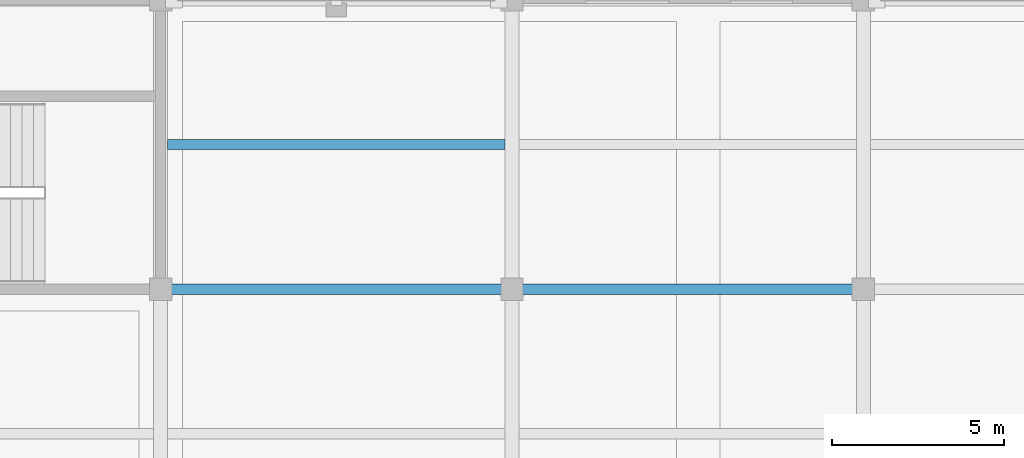
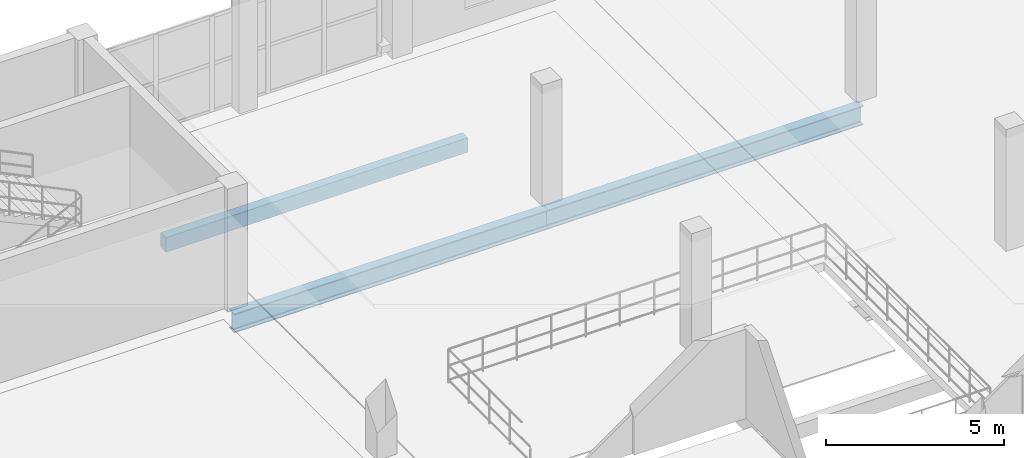
# One storey, part 97 of 135: 3 beams.
"""IFC4 building model written with IfcOpenShell, lengths in metres."""

from ifc_helpers import new_model, si_unit, direction, frame, origin, origin_2d, place, context, subcontext, project, spatial, rectangle, i_section, extrude, material, material_profile, profile_set, type_object, element, save


model = new_model("IFC4")

# Units and contexts
model_context = context("Model", 3, precision=1e-05, world=origin(), true_north=direction((0.0, 1.0)))
body_context = subcontext(model_context, "Body", "Model", "MODEL_VIEW")
ifc_project = project(units=[si_unit("LENGTHUNIT", "METRE"), si_unit("AREAUNIT", "SQUARE_METRE"), si_unit("VOLUMEUNIT", "CUBIC_METRE"), si_unit("PLANEANGLEUNIT", "RADIAN"), si_unit("MASSUNIT", "GRAM", prefix="KILO")], contexts=[model_context])

# Site, building, storey
site_placement = place(None, origin())
site = spatial("IfcSite", under=ifc_project, at=site_placement, CompositionType="ELEMENT")
building_placement = place(site_placement, origin())
building = spatial("IfcBuilding", under=site, at=building_placement, Name="Brelvane Convention Centre", CompositionType="ELEMENT")
storey_placement = place(building_placement, frame((0.0, 0.0, 15.0)))
storey = spatial("IfcBuildingStorey", under=building, at=storey_placement, Name="L03", CompositionType="ELEMENT", Elevation=15.0)

# Beams
ifc_material_1 = material(Name="Concrete M40", Category="concrete")
ifc_material_profile_1 = material_profile(ifc_material_1, rectangle(XDim=0.300048828125, YDim=0.5, at=origin_2d()), Name="RC 300x500")
ifc_profile_set_1 = profile_set([ifc_material_profile_1], Name="Concrete M40")
beam_type_1 = type_object("IfcBeamType", Name="RC Joist J-RC2 (RC 300x500)", PredefinedType="JOIST", material=ifc_profile_set_1)
beam_placement = place(storey_placement, frame((30.800048828125, 139.800048828125, -0.544921875), z_axis=(1.0, 0.0, 0.0), x_axis=(0.0, 1.0, 0.0)))
element("IfcBeam", 1, at=beam_placement, inside=storey, type_object=beam_type_1, Name="L03 Secondary Joist 4-5/PQ", PredefinedType="JOIST", context=body_context, shape_type="SweptSolid", body=[
    extrude(rectangle(XDim=0.300048828125, YDim=0.5, at=origin_2d()), origin(), (0.0, 0.0, 1.0), 9.800048828125),
])
ifc_material_2 = material(Name="Steel E350 (350 MPa)", Category="steel")
ifc_material_profile_2 = material_profile(ifc_material_2, i_section(OverallWidth=0.300048828125, OverallDepth=0.64990234375, WebThickness=0.014404296875, FlangeThickness=0.02587890625, FilletRadius=0.02392578125, at=origin_2d()), Name="NPB 650x300")
ifc_profile_set_2 = profile_set([ifc_material_profile_2], Name="Steel E350 (350 MPa)")
beam_type_2 = type_object("IfcBeamType", Name="Steel Beam B-ST4 (NPB 650x300)", PredefinedType="BEAM", material=ifc_profile_set_2)
for number, where, z_axis, x_axis, name in (
    (2, (30.60009765625, 135.60009765625, -0.6201171875), (1.0, 0.0, 0.0), (0.0, 1.0, 0.0), "L03 Beam 4-5/P"),
    (3, (40.800048828125, 135.60009765625, -0.6201171875), (1.0, 0.0, 0.0), (0.0, 1.0, 0.0), "L03 Beam 5-6/P"),
):
    element("IfcBeam", number, at=place(storey_placement, frame(where, z_axis=z_axis, x_axis=x_axis)), inside=storey, type_object=beam_type_2, Name=name, PredefinedType="BEAM", context=body_context, shape_type="SweptSolid", body=[
        extrude(i_section(OverallWidth=0.300048828125, OverallDepth=0.64990234375, WebThickness=0.014404296875, FlangeThickness=0.02587890625, FilletRadius=0.02392578125, at=origin_2d()), origin(), (0.0, 0.0, 1.0), 10.199951171875),
    ])

save(model, "model.ifc")
